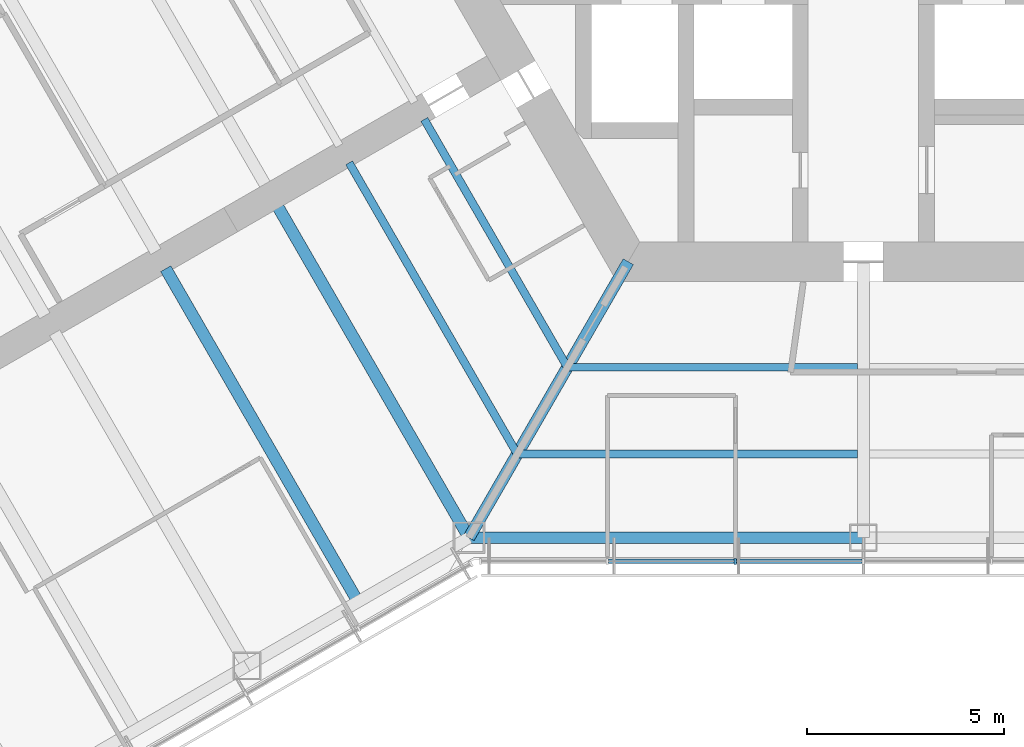
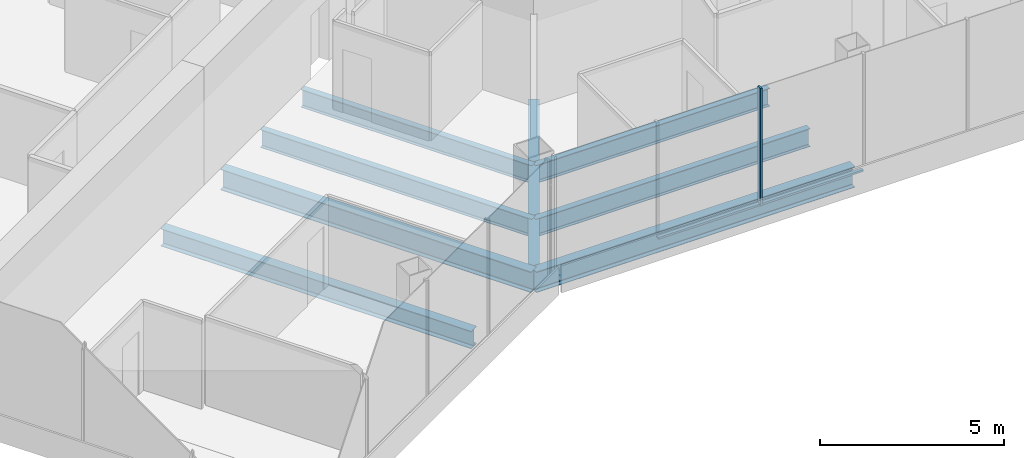
# One storey, part 3 of 19: 8 beams, 3 members, 1 element without a shape of its own.
"""IFC4 building model written with IfcOpenShell, lengths in metres."""

from ifc_helpers import new_model, si_unit, direction, frame, origin, origin_2d, place, context, subcontext, project, spatial, rectangle, i_section, extrude, material, material_profile, profile_set, type_object, element, aggregate, save


model = new_model("IFC4")

# Units and contexts
model_context = context("Model", 3, precision=1e-05, world=origin(), true_north=direction((0.0, 1.0)))
body_context = subcontext(model_context, "Body", "Model", "MODEL_VIEW")
ifc_project = project(units=[si_unit("LENGTHUNIT", "METRE"), si_unit("AREAUNIT", "SQUARE_METRE"), si_unit("VOLUMEUNIT", "CUBIC_METRE"), si_unit("PLANEANGLEUNIT", "RADIAN"), si_unit("MASSUNIT", "GRAM", prefix="KILO")], contexts=[model_context])

# Site, building, storey
site_placement = place(None, origin())
site = spatial("IfcSite", under=ifc_project, at=site_placement, CompositionType="ELEMENT")
building_placement = place(site_placement, origin())
building = spatial("IfcBuilding", under=site, at=building_placement, Name="Kasaneha Research Tower", CompositionType="ELEMENT")
storey_placement = place(building_placement, frame((0.0, 0.0, 160.39990234375)))
storey = spatial("IfcBuildingStorey", under=building, at=storey_placement, Name="L40", CompositionType="ELEMENT", Elevation=160.39990234375)

# Beams
ifc_material_1 = material(Name="Steel SN490B", Category="steel")
ifc_material_profile_1 = material_profile(ifc_material_1, i_section(OverallWidth=0.199951171875, OverallDepth=0.60009765625, WebThickness=0.010986328125, FlangeThickness=0.01708984375, FilletRadius=0.012939453125, at=origin_2d()), Name="H-600x200x11x17")
ifc_profile_set_1 = profile_set([ifc_material_profile_1], Name="Steel SN490B")
beam_type_1 = type_object("IfcBeamType", Name="B1-3 secondary beam H-600x200x11x17", PredefinedType="JOIST", material=ifc_profile_set_1)
beam_1_placement = place(storey_placement, frame((-7.505615234375, -13.0, -0.449951171875), z_axis=(-0.499993340521, 0.866029248602, 0.0), x_axis=(-0.866029248602, -0.499993340521, 0.0)))
element("IfcBeam", 1, at=beam_1_placement, inside=storey, type_object=beam_type_1, Name="Secondary beam RS210R1 L40", PredefinedType="JOIST", context=body_context, shape_type="SweptSolid", body=[
    extrude(i_section(OverallWidth=0.199951171875, OverallDepth=0.60009765625, WebThickness=0.010986328125, FlangeThickness=0.01708984375, FilletRadius=0.012939453125, at=origin_2d()), origin(), (0.0, 0.0, 1.0), 7.25537109375),
])
beam_2_placement = place(storey_placement, frame((-8.775634765625, -15.199951171875, -0.449951171875), z_axis=(-0.500004205306, 0.866022975836, 0.0), x_axis=(-0.866022975836, -0.500004205306, 0.0)))
element("IfcBeam", 2, at=beam_2_placement, inside=storey, type_object=beam_type_1, Name="Secondary beam RS210R2 L40", PredefinedType="JOIST", context=body_context, shape_type="SweptSolid", body=[
    extrude(i_section(OverallWidth=0.199951171875, OverallDepth=0.60009765625, WebThickness=0.010986328125, FlangeThickness=0.01708984375, FilletRadius=0.012939453125, at=origin_2d()), origin(), (0.0, 0.0, 1.0), 8.52587890625),
])
beam_3_placement = place(storey_placement, frame((-7.505615234375, -13.0, -0.449951171875), z_axis=(1.0, 0.0, 0.0), x_axis=(0.0, 1.0, 0.0)))
element("IfcBeam", 3, at=beam_3_placement, inside=storey, type_object=beam_type_1, Name="Secondary beam RS270L1 L40", PredefinedType="JOIST", context=body_context, shape_type="SweptSolid", body=[
    extrude(i_section(OverallWidth=0.199951171875, OverallDepth=0.60009765625, WebThickness=0.010986328125, FlangeThickness=0.01708984375, FilletRadius=0.012939453125, at=origin_2d()), origin(), (0.0, 0.0, 1.0), 7.355712890625),
])
beam_4_placement = place(storey_placement, frame((-8.775634765625, -15.199951171875, -0.449951171875), z_axis=(1.0, 0.0, 0.0), x_axis=(0.0, 1.0, 0.0)))
element("IfcBeam", 4, at=beam_4_placement, inside=storey, type_object=beam_type_1, Name="Secondary beam RS270L2 L40", PredefinedType="JOIST", context=body_context, shape_type="SweptSolid", body=[
    extrude(i_section(OverallWidth=0.199951171875, OverallDepth=0.60009765625, WebThickness=0.010986328125, FlangeThickness=0.01708984375, FilletRadius=0.012939453125, at=origin_2d()), origin(), (0.0, 0.0, 1.0), 8.625732421875),
])
ifc_material_2 = material(Name="Steel SN490B", Category="steel")
ifc_material_profile_2 = material_profile(ifc_material_2, i_section(OverallWidth=0.300048828125, OverallDepth=0.58203125, WebThickness=0.011962890625, FlangeThickness=0.01708984375, FilletRadius=0.012939453125, at=origin_2d()), Name="H-582x300x12x17")
ifc_profile_set_2 = profile_set([ifc_material_profile_2], Name="Steel SN490B")
beam_type_2 = type_object("IfcBeamType", Name="B2-3 secondary beam H-582x300x12x17", PredefinedType="JOIST", material=ifc_profile_set_2)
beam_5_placement = place(storey_placement, frame((-12.814697265625, -18.945556640625, -0.44091796875), z_axis=(-0.499995560238, 0.866027967067, 0.0), x_axis=(-0.866027967067, -0.499995560238, 0.0)))
element("IfcBeam", 5, at=beam_5_placement, inside=storey, type_object=beam_type_2, Name="Secondary beam WBBN1 L40", PredefinedType="JOIST", context=body_context, shape_type="SweptSolid", body=[
    extrude(i_section(OverallWidth=0.300048828125, OverallDepth=0.58203125, WebThickness=0.011962890625, FlangeThickness=0.01708984375, FilletRadius=0.012939453125, at=origin_2d()), origin(), (0.0, 0.0, 1.0), 9.75),
])

# Curtain wall, members
ifc_material_3 = material(Name="Glass and aluminium", Category="aluminium")
curtain_wall_type = type_object("IfcCurtainWallType", Name="Mid-rise office curtain wall", PredefinedType="USERDEFINED", material=ifc_material_3)
curtain_wall_placement = place(storey_placement, origin())
curtain_wall = element("IfcCurtainWall", 6, at=curtain_wall_placement, inside=storey, type_object=curtain_wall_type, Name="CW-O2 L40 run 01a", ObjectType="UNITISED CURTAIN WALL", PredefinedType="USERDEFINED")
ifc_material_4 = material(Name="Aluminium 6063-T6", Category="aluminium")
ifc_material_profile_3 = material_profile(ifc_material_4, rectangle(XDim=0.06005859375, YDim=0.14990234375, at=origin_2d()), Name="CW-O2 mullion 60x150")
ifc_profile_set_3 = profile_set([ifc_material_profile_3], Name="Aluminium 6063-T6")
member_type_1 = type_object("IfcMemberType", Name="CW-O2 mullion", PredefinedType="MULLION", material=ifc_profile_set_3)
member_1_placement = place(storey_placement, frame((-3.246337890625, -17.92041015625, 0.0), z_axis=(0.0, 0.0, 1.0), x_axis=(1.0, 0.0, 0.0)))
member_1 = element("IfcMember", 7, at=member_1_placement, type_object=member_type_1, Name="CW-O2 mullion 3", PredefinedType="MULLION", context=body_context, shape_type="SweptSolid", body=[
    extrude(rectangle(XDim=0.06005859375, YDim=0.14990234375, at=origin_2d()), origin(), (0.0, 0.0, 1.0), 3.900146484375),
])
ifc_material_5 = material(Name="Aluminium 6063-T6", Category="aluminium")
ifc_material_profile_4 = material_profile(ifc_material_5, rectangle(XDim=0.110107421875, YDim=0.06005859375, at=origin_2d()), Name="CW-O2 transom 110x60")
ifc_profile_set_4 = profile_set([ifc_material_profile_4], Name="Aluminium 6063-T6")
member_type_2 = type_object("IfcMemberType", Name="CW-O2 transom", PredefinedType="USERDEFINED", material=ifc_profile_set_4)
member_2_placement = place(storey_placement, frame((-6.462890625, -17.92041015625, 0.030029296875), z_axis=(1.0, 0.0, 0.0), x_axis=(0.0, 1.0, 0.0)))
member_2 = element("IfcMember", 8, at=member_2_placement, type_object=member_type_2, Name="CW-O2 transom 2", ObjectType="TRANSOM", PredefinedType="USERDEFINED", context=body_context, shape_type="SweptSolid", body=[
    extrude(rectangle(XDim=0.110107421875, YDim=0.06005859375, at=origin_2d()), origin(), (0.0, 0.0, 1.0), 3.1865234375),
])
member_3_placement = place(storey_placement, frame((-3.21630859375, -17.92041015625, 0.030029296875), z_axis=(1.0, 0.0, 0.0), x_axis=(0.0, 1.0, 0.0)))
member_3 = element("IfcMember", 9, at=member_3_placement, type_object=member_type_2, Name="CW-O2 transom 3", ObjectType="TRANSOM", PredefinedType="USERDEFINED", context=body_context, shape_type="SweptSolid", body=[
    extrude(rectangle(XDim=0.110107421875, YDim=0.06005859375, at=origin_2d()), origin(), (0.0, 0.0, 1.0), 3.186279296875),
])
aggregate(curtain_wall, [member_1, member_2, member_3])

# Beams
ifc_material_6 = material(Name="Steel SN490B", Category="steel")
ifc_material_profile_5 = material_profile(ifc_material_6, i_section(OverallWidth=0.300048828125, OverallDepth=0.699951171875, WebThickness=0.012939453125, FlangeThickness=0.02392578125, FilletRadius=0.01806640625, at=origin_2d()), Name="H-700x300x13x24")
ifc_profile_set_5 = profile_set([ifc_material_profile_5], Name="Steel SN490B")
beam_type_3 = type_object("IfcBeamType", Name="G1-3 radial girder H-700x300x13x24", PredefinedType="BEAM", material=ifc_profile_set_5)
beam_6_placement = place(storey_placement, frame((-5.961181640625, -10.324951171875, -0.5), z_axis=(-0.49999105496, -0.866030568144, 0.0), x_axis=(0.866030568144, -0.49999105496, 0.0)))
element("IfcBeam", 10, at=beam_6_placement, inside=storey, type_object=beam_type_3, Name="Radial girder RV240 L40", PredefinedType="BEAM", context=body_context, shape_type="SweptSolid", body=[
    extrude(i_section(OverallWidth=0.300048828125, OverallDepth=0.699951171875, WebThickness=0.012939453125, FlangeThickness=0.02392578125, FilletRadius=0.01806640625, at=origin_2d()), origin(), (0.0, 0.0, 1.0), 8.077880859375),
])
ifc_material_7 = material(Name="Steel SN490B", Category="steel")
ifc_material_profile_6 = material_profile(ifc_material_7, i_section(OverallWidth=0.300048828125, OverallDepth=0.69189453125, WebThickness=0.012939453125, FlangeThickness=0.02001953125, FilletRadius=0.01806640625, at=origin_2d()), Name="H-692x300x13x20")
ifc_profile_set_6 = profile_set([ifc_material_profile_6], Name="Steel SN490B")
beam_type_4 = type_object("IfcBeamType", Name="G3-3 plate edge girder H-692x300x13x20", PredefinedType="BEAM", material=ifc_profile_set_6)
beam_7_placement = place(storey_placement, frame((-10.0, -17.320556640625, -0.495849609375), z_axis=(-0.499995560238, 0.866027967067, 0.0), x_axis=(-0.866027967067, -0.499995560238, 0.0)))
element("IfcBeam", 11, at=beam_7_placement, inside=storey, type_object=beam_type_4, Name="Plate edge girder PEBN L40", PredefinedType="BEAM", context=body_context, shape_type="SweptSolid", body=[
    extrude(i_section(OverallWidth=0.300048828125, OverallDepth=0.69189453125, WebThickness=0.012939453125, FlangeThickness=0.02001953125, FilletRadius=0.01806640625, at=origin_2d()), origin(), (0.0, 0.0, 1.0), 9.75),
])
ifc_material_8 = material(Name="Steel SN490B", Category="steel")
ifc_material_profile_7 = material_profile(ifc_material_8, i_section(OverallWidth=0.300048828125, OverallDepth=0.69189453125, WebThickness=0.012939453125, FlangeThickness=0.02001953125, FilletRadius=0.01806640625, at=origin_2d()), Name="H-692x300x13x20")
ifc_profile_set_7 = profile_set([ifc_material_profile_7], Name="Steel SN490B")
beam_type_5 = type_object("IfcBeamType", Name="SB1-3 spandrel beam H-692x300x13x20", PredefinedType="SPANDREL", material=ifc_profile_set_7)
beam_8_placement = place(storey_placement, frame((-10.0, -17.320556640625, -0.495849609375), z_axis=(1.0, 0.0, 0.0), x_axis=(0.0, 1.0, 0.0)))
element("IfcBeam", 12, at=beam_8_placement, inside=storey, type_object=beam_type_5, Name="Spandrel beam SR270L L40", PredefinedType="SPANDREL", context=body_context, shape_type="SweptSolid", body=[
    extrude(i_section(OverallWidth=0.300048828125, OverallDepth=0.69189453125, WebThickness=0.012939453125, FlangeThickness=0.02001953125, FilletRadius=0.01806640625, at=origin_2d()), origin(), (0.0, 0.0, 1.0), 10.0),
])

save(model, "model.ifc")
